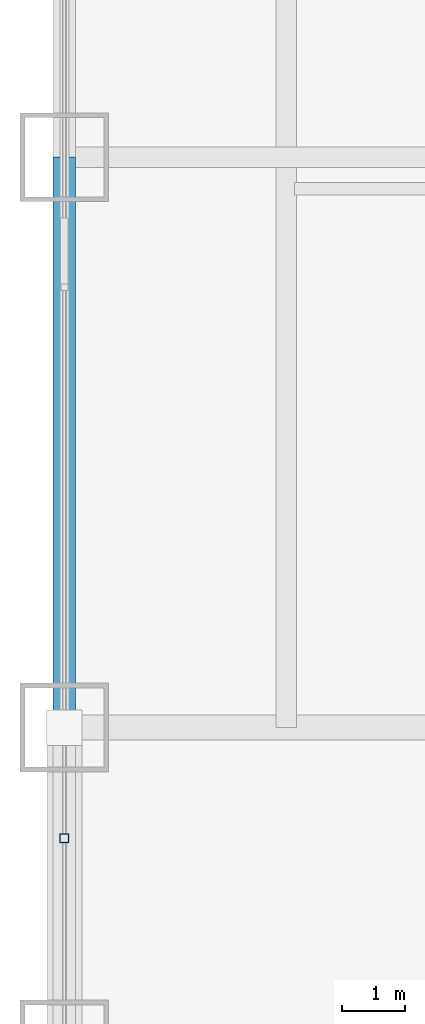
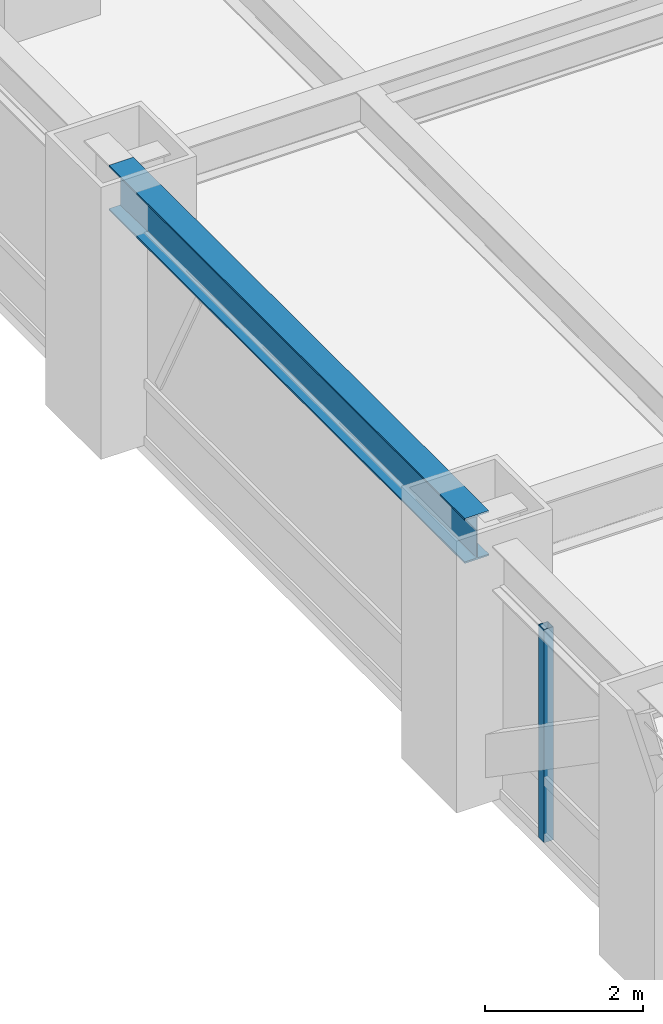
# One storey, part 12 of 27: 1 beam, 1 member, 1 element without a shape of its own.
"""IFC4 building model written with IfcOpenShell, lengths in metres."""

from ifc_helpers import new_model, si_unit, direction, frame, origin, origin_2d, place, context, subcontext, project, spatial, hollow_rectangle, i_section, extrude, source, transform, mapped, material, material_profile, profile_set, type_object, element, aggregate, save


model = new_model("IFC4")

# Units and contexts
model_context = context("Model", 3, precision=1e-05, world=origin(), true_north=direction((0.0, 1.0)))
body_context = subcontext(model_context, "Body", "Model", "MODEL_VIEW")
ifc_project = project(units=[si_unit("LENGTHUNIT", "METRE"), si_unit("AREAUNIT", "SQUARE_METRE"), si_unit("VOLUMEUNIT", "CUBIC_METRE"), si_unit("PLANEANGLEUNIT", "RADIAN"), si_unit("MASSUNIT", "GRAM", prefix="KILO")], contexts=[model_context])

# Site, building, storey
site_placement = place(None, origin())
site = spatial("IfcSite", under=ifc_project, at=site_placement, CompositionType="ELEMENT")
building_placement = place(site_placement, origin())
building = spatial("IfcBuilding", under=site, at=building_placement, Name="Khorayat Bourse Tower", CompositionType="ELEMENT")
storey_placement = place(building_placement, frame((0.0, 0.0, 53.60009765625)))
storey = spatial("IfcBuildingStorey", under=building, at=storey_placement, Name="L11", CompositionType="ELEMENT", Elevation=53.60009765625)

# Beam
ifc_material_1 = material(Name="Steel ASTM A992 Grade 50", Category="steel")
ifc_material_profile_1 = material_profile(ifc_material_1, i_section(OverallWidth=0.35498046875, OverallDepth=0.695068359375, WebThickness=0.015380859375, FlangeThickness=0.02490234375, FilletRadius=0.01806640625, at=origin_2d()), Name="W690X217")
ifc_profile_set_1 = profile_set([ifc_material_profile_1], Name="Steel ASTM A992 Grade 50")
beam_type = type_object("IfcBeamType", Name="BM-SPAN-690", PredefinedType="SPANDREL", material=ifc_profile_set_1)
shared_shape_1 = source(origin(), body_context, "Body", "SweptSolid", [
    extrude(i_section(OverallWidth=0.35498046875, OverallDepth=0.695068359375, WebThickness=0.015380859375, FlangeThickness=0.02490234375, FilletRadius=0.01806640625, at=origin_2d()), origin(), (0.0, 0.0, 1.0), 9.0),
])
beam_placement = place(storey_placement, frame((-32.0, 11.0, 3.59228515625), z_axis=(0.0, 1.0, 0.0), x_axis=(-1.0, 0.0, 0.0)))
element("IfcBeam", 1, at=beam_placement, inside=storey, type_object=beam_type, Name="L11 BM-SPAN-690 BM-L11-SPN-055", PredefinedType="SPANDREL", context=body_context, shape_type="MappedRepresentation", body=[
    mapped(shared_shape_1, transform((0.0, 0.0, 0.0), scale=1.0)),
])

# Curtain wall, member
ifc_material_2 = material(Name="Aluminium EN AW-6063 T6", Category="aluminium")
curtain_wall_type = type_object("IfcCurtainWallType", Name="CW-SYS-02", PredefinedType="NOTDEFINED", material=ifc_material_2)
curtain_wall_placement = place(storey_placement, origin())
curtain_wall = element("IfcCurtainWall", 2, at=curtain_wall_placement, inside=storey, type_object=curtain_wall_type, Name="L11 Curtain Wall CW-L11-W1", PredefinedType="NOTDEFINED")
ifc_material_profile_2 = material_profile(ifc_material_2, hollow_rectangle(XDim=0.139892578125, YDim=0.139892578125, WallThickness=0.006103515625, at=origin_2d()), Name="ALU 140x140x6")
ifc_profile_set_2 = profile_set([ifc_material_profile_2], Name="Aluminium EN AW-6063 T6")
member_type = type_object("IfcMemberType", Name="CWM-VERT-140", PredefinedType="MULLION", material=ifc_profile_set_2)
shared_shape_2 = source(origin(), body_context, "Body", "SweptSolid", [
    extrude(hollow_rectangle(XDim=0.139892578125, YDim=0.139892578125, WallThickness=0.006103515625, at=origin_2d()), origin(), (0.0, 0.0, 1.0), 3.289794921875),
])
member_placement = place(storey_placement, frame((-32.0, 9.25, 0.0), z_axis=(0.0, 0.0, 1.0), x_axis=(-1.0, 0.0, 0.0)))
member = element("IfcMember", 3, at=member_placement, type_object=member_type, Name="CW-L11-W1 Vertical Mullion 3", PredefinedType="MULLION", context=body_context, shape_type="MappedRepresentation", body=[
    mapped(shared_shape_2, transform((0.0, 0.0, 0.0), scale=1.0)),
])
aggregate(curtain_wall, [member])

save(model, "model.ifc")
